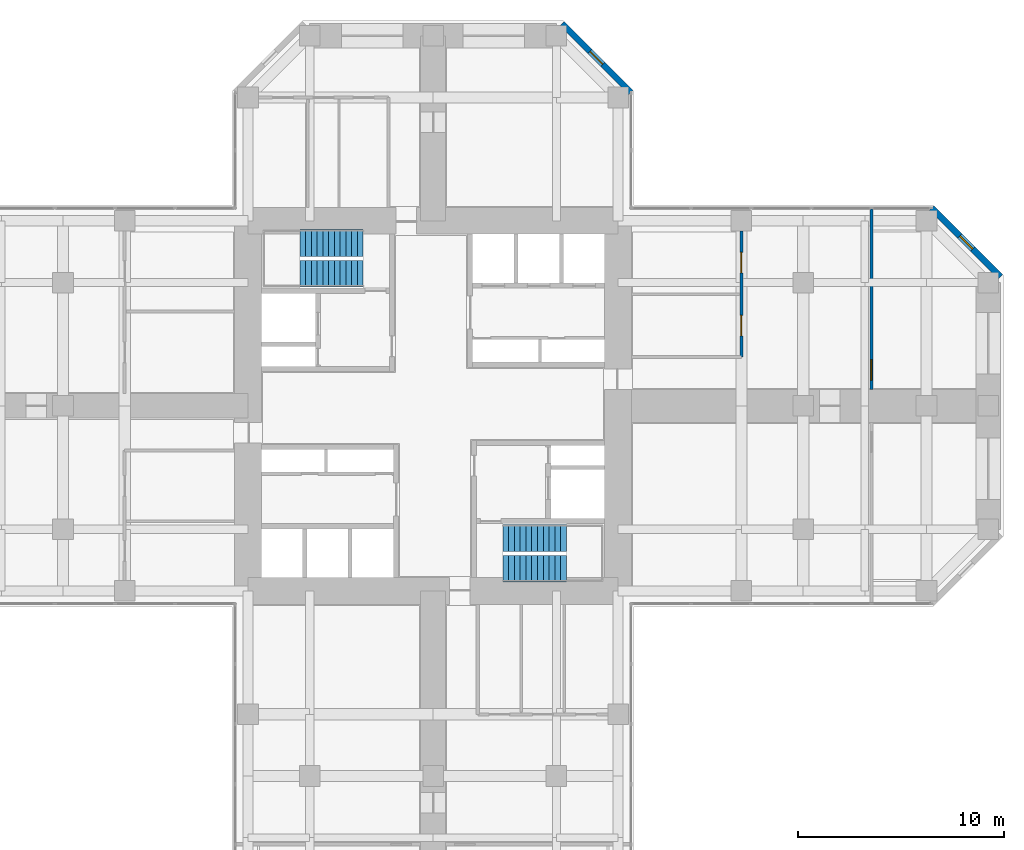
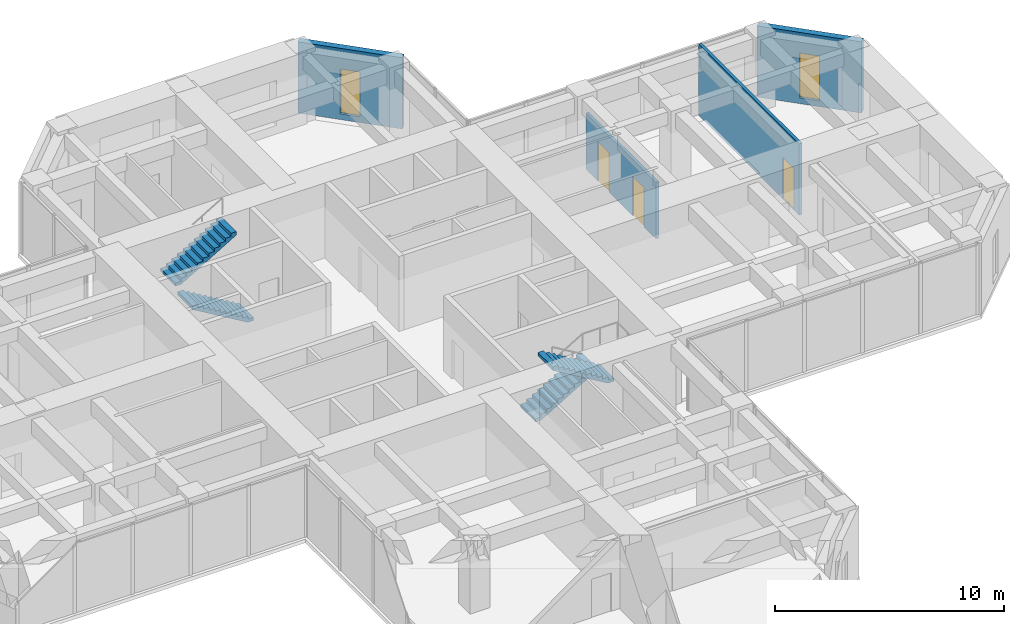
# One storey, part 11 of 12: 4 stair flights, 4 walls, 3 doors, 2 windows, 5 openings, 2 elements without a shape of their own.
"""IFC4 building model written with IfcOpenShell, lengths in metres."""

from ifc_helpers import new_model, si_unit, direction, frame, frame_2d, origin, place, context, subcontext, project, spatial, polyline, rectangle, hollow_rectangle, outline, extrude, material, layer, layer_set, constituent, constituent_set, type_object, element, fill, aggregate, save


model = new_model("IFC4")

# Units and contexts
model_context = context("Model", 3, precision=1e-05, world=origin(), true_north=direction((0.0, 1.0)))
body_context = subcontext(model_context, "Body", "Model", "MODEL_VIEW")
ifc_project = project(units=[si_unit("LENGTHUNIT", "METRE"), si_unit("AREAUNIT", "SQUARE_METRE"), si_unit("VOLUMEUNIT", "CUBIC_METRE"), si_unit("PLANEANGLEUNIT", "RADIAN"), si_unit("MASSUNIT", "GRAM", prefix="KILO")], contexts=[model_context])

# Site, building, storey
site_placement = place(None, origin())
site = spatial("IfcSite", under=ifc_project, at=site_placement, CompositionType="ELEMENT")
building_placement = place(site_placement, origin())
building = spatial("IfcBuilding", under=site, at=building_placement, Name="Torre Cruceta", CompositionType="ELEMENT")
storey_placement = place(building_placement, frame((0.0, 0.0, 144.5)))
storey = spatial("IfcBuildingStorey", under=building, at=storey_placement, Name="L35", CompositionType="ELEMENT", Elevation=144.5)

# Wall, opening, window
ifc_material_1 = material(Name="Concrete G30 (fck 30 MPa)", Category="concrete")
ifc_layer_1 = layer(ifc_material_1, 0.300048828125)
ifc_layer_set_1 = layer_set([ifc_layer_1], Name="Concrete G30 (fck 30 MPa)")
wall_type_1 = type_object("IfcWallType", Name="EXPOSED CONCRETE FACADE WALL 300", PredefinedType="SOLIDWALL", material=ifc_layer_set_1)
wall_1_placement = place(storey_placement, frame((27.60009765625, 6.27685546875, 0.0), z_axis=(0.0, 0.0, 1.0), x_axis=(-0.707106781187, 0.707106781187, 0.0)))
wall_1 = element("IfcWall", 1, at=wall_1_placement, inside=storey, type_object=wall_type_1, Name="EW1 facade wall L35 E chamfer 03", PredefinedType="SOLIDWALL", context=body_context, shape_type="SweptSolid", body=[
    extrude(rectangle(XDim=4.72802734375, YDim=0.300048828125, at=frame_2d((2.364013671875, 0.0))), origin(), (0.0, 0.0, 1.0), 3.800048828125),
])
opening_1_placement = place(wall_1_placement, frame((1.9140625, 0.0, 0.300048828125)))
opening_1 = element("IfcOpeningElement", 2, at=opening_1_placement, cuts=wall_1, Name="Opening WN5", PredefinedType="OPENING", context=body_context, shape_type="SweptSolid", body=[
    extrude(rectangle(XDim=0.89990234375, YDim=2.39990234375, at=frame_2d((0.449951171875, 1.199951171875))), frame((0.0, 0.159912109375, 0.0), z_axis=(0.0, -1.0, 0.0), x_axis=(1.0, 0.0, 0.0)), (0.0, 0.0, 1.0), 0.320068359375),
])
ifc_material_2 = material(Name="Aluminium window frame", Category="aluminium")
ifc_constituent_1 = constituent(ifc_material_2, Name="Frame")
ifc_material_3 = material(Name="Laminated insulating glass unit, low-iron clear", Category="glass")
ifc_constituent_2 = constituent(ifc_material_3, Name="Glazing")
ifc_constituent_set_1 = constituent_set(constituents=[ifc_constituent_1, ifc_constituent_2], Name="Aluminium window")
window_type = type_object("IfcWindowType", Name="CHAMFER SLOT WINDOW 900X2400", PartitioningType="SINGLE_PANEL", PredefinedType="WINDOW", material=ifc_constituent_set_1)
window_1_placement = place(opening_1_placement, origin())
window_1 = element("IfcWindow", 3, at=window_1_placement, inside=storey, type_object=window_type, Name="WN5 L35 E 1", OverallHeight=2.39990234375, OverallWidth=0.89990234375, PartitioningType="SINGLE_PANEL", PredefinedType="WINDOW", context=body_context, shape_type="SweptSolid", body=[
    extrude(hollow_rectangle(XDim=0.89990234375, YDim=2.39990234375, WallThickness=0.06005859375, at=frame_2d((0.449951171875, 1.199951171875))), frame((0.0, 0.030029296875, 0.0), z_axis=(0.0, -1.0, 0.0), x_axis=(1.0, 0.0, 0.0)), (0.0, 0.0, 1.0), 0.06005859375),
    extrude(rectangle(XDim=0.77880859375, YDim=2.27880859375, at=frame_2d((0.449951171875, 1.199951171875))), frame((0.0, 0.030029296875, 0.0), z_axis=(0.0, -1.0, 0.0), x_axis=(1.0, 0.0, 0.0)), (0.0, 0.0, 1.0), 0.06005859375),
])
fill(opening_1, window_1)

wall_2_placement = place(storey_placement, frame((9.6201171875, 15.2568359375, 0.0), z_axis=(0.0, 0.0, 1.0), x_axis=(-0.707106781187, 0.707106781187, 0.0)))
wall_2 = element("IfcWall", 4, at=wall_2_placement, inside=storey, type_object=wall_type_1, Name="EW1 facade wall L35 N chamfer 06", PredefinedType="SOLIDWALL", context=body_context, shape_type="SweptSolid", body=[
    extrude(rectangle(XDim=4.72802734375, YDim=0.300048828125, at=frame_2d((2.364013671875, 0.0))), origin(), (0.0, 0.0, 1.0), 3.800048828125),
])
opening_2_placement = place(wall_2_placement, frame((1.9140625, 0.0, 0.300048828125)))
opening_2 = element("IfcOpeningElement", 5, at=opening_2_placement, cuts=wall_2, Name="Opening WN5", PredefinedType="OPENING", context=body_context, shape_type="SweptSolid", body=[
    extrude(rectangle(XDim=0.89990234375, YDim=2.39990234375, at=frame_2d((0.449951171875, 1.199951171875))), frame((0.0, 0.159912109375, 0.0), z_axis=(0.0, -1.0, 0.0), x_axis=(1.0, 0.0, 0.0)), (0.0, 0.0, 1.0), 0.320068359375),
])
window_2_placement = place(opening_2_placement, origin())
window_2 = element("IfcWindow", 6, at=window_2_placement, inside=storey, type_object=window_type, Name="WN5 L35 N 1", OverallHeight=2.39990234375, OverallWidth=0.89990234375, PartitioningType="SINGLE_PANEL", PredefinedType="WINDOW", context=body_context, shape_type="SweptSolid", body=[
    extrude(hollow_rectangle(XDim=0.89990234375, YDim=2.39990234375, WallThickness=0.06005859375, at=frame_2d((0.449951171875, 1.199951171875))), frame((0.0, 0.030029296875, 0.0), z_axis=(0.0, -1.0, 0.0), x_axis=(1.0, 0.0, 0.0)), (0.0, 0.0, 1.0), 0.06005859375),
    extrude(rectangle(XDim=0.77880859375, YDim=2.27880859375, at=frame_2d((0.449951171875, 1.199951171875))), frame((0.0, 0.030029296875, 0.0), z_axis=(0.0, -1.0, 0.0), x_axis=(1.0, 0.0, 0.0)), (0.0, 0.0, 1.0), 0.06005859375),
])
fill(opening_2, window_2)

# Wall, openings, doors
ifc_material_4 = material(Name="Plasterboard on steel studs", Category="steel")
ifc_layer_2 = layer(ifc_material_4, 0.14990234375)
ifc_layer_set_2 = layer_set([ifc_layer_2], Name="Plasterboard on steel studs")
wall_type_2 = type_object("IfcWallType", Name="PARTITION 150", PredefinedType="PARTITIONING", material=ifc_layer_set_2)
wall_3_placement = place(storey_placement, frame((15.0, 2.375, 0.0), z_axis=(0.0, 0.0, 1.0), x_axis=(0.0, 1.0, 0.0)))
wall_3 = element("IfcWall", 7, at=wall_3_placement, inside=storey, type_object=wall_type_2, Name="PT1 L35-E-BFL", PredefinedType="PARTITIONING", context=body_context, shape_type="SweptSolid", body=[
    extrude(rectangle(XDim=6.125, YDim=0.14990234375, at=frame_2d((3.0625, 0.0))), origin(), (0.0, 0.0, 1.0), 3.0),
])
opening_3_placement = place(wall_3_placement, frame((1.03125, 0.0, 0.0)))
opening_3 = element("IfcOpeningElement", 8, at=opening_3_placement, cuts=wall_3, Name="Opening D3", PredefinedType="OPENING", context=body_context, shape_type="SweptSolid", body=[
    extrude(rectangle(XDim=1.0, YDim=2.10009765625, at=frame_2d((0.5, 1.050048828125))), frame((0.0, 0.0849609375, 0.0), z_axis=(0.0, -1.0, 0.0), x_axis=(1.0, 0.0, 0.0)), (0.0, 0.0, 1.0), 0.169921875),
])
opening_4_placement = place(wall_3_placement, frame((4.09375, 0.0, 0.0)))
opening_4 = element("IfcOpeningElement", 9, at=opening_4_placement, cuts=wall_3, Name="Opening D3", PredefinedType="OPENING", context=body_context, shape_type="SweptSolid", body=[
    extrude(rectangle(XDim=1.0, YDim=2.10009765625, at=frame_2d((0.5, 1.050048828125))), frame((0.0, 0.0849609375, 0.0), z_axis=(0.0, -1.0, 0.0), x_axis=(1.0, 0.0, 0.0)), (0.0, 0.0, 1.0), 0.169921875),
])
ifc_material_5 = material(Name="Steel DX51D", Category="steel")
ifc_constituent_3 = constituent(ifc_material_5, Name="Leaf and frame")
ifc_material_6 = material(Name="Polyester powder coating", Category="paint")
ifc_constituent_4 = constituent(ifc_material_6, Name="Finish")
ifc_constituent_set_2 = constituent_set(constituents=[ifc_constituent_3, ifc_constituent_4], Name="Steel fire door")
door_type_1 = type_object("IfcDoorType", Name="FIRE DOOR 1000X2100", OperationType="SINGLE_SWING_LEFT", PredefinedType="DOOR", material=ifc_constituent_set_2)
door_1_placement = place(opening_3_placement, origin())
door_1 = element("IfcDoor", 10, at=door_1_placement, inside=storey, type_object=door_type_1, Name="D3 L35-E-BFL-D1", OperationType="SINGLE_SWING_LEFT", OverallHeight=2.10009765625, OverallWidth=1.0, PredefinedType="DOOR", context=body_context, shape_type="SweptSolid", body=[
    extrude(rectangle(XDim=1.0, YDim=2.10009765625, at=frame_2d((0.5, 1.050048828125))), frame((0.0, 0.02490234375, 0.0), z_axis=(0.0, -1.0, 0.0), x_axis=(1.0, 0.0, 0.0)), (0.0, 0.0, 1.0), 0.050048828125),
])
fill(opening_3, door_1)
door_2_placement = place(opening_4_placement, origin())
door_2 = element("IfcDoor", 11, at=door_2_placement, inside=storey, type_object=door_type_1, Name="D3 L35-E-BFL-D2", OperationType="SINGLE_SWING_LEFT", OverallHeight=2.10009765625, OverallWidth=1.0, PredefinedType="DOOR", context=body_context, shape_type="SweptSolid", body=[
    extrude(rectangle(XDim=1.0, YDim=2.10009765625, at=frame_2d((0.5, 1.050048828125))), frame((0.0, 0.02490234375, 0.0), z_axis=(0.0, -1.0, 0.0), x_axis=(1.0, 0.0, 0.0)), (0.0, 0.0, 1.0), 0.050048828125),
])
fill(opening_4, door_2)

# Wall, opening, door
wall_4_placement = place(storey_placement, frame((21.320068359375, 0.800048828125, 0.0), z_axis=(0.0, 0.0, 1.0), x_axis=(0.0, 1.0, 0.0)))
wall_4 = element("IfcWall", 12, at=wall_4_placement, inside=storey, type_object=wall_type_2, Name="PT1 L35-E-TWL", PredefinedType="PARTITIONING", context=body_context, shape_type="SweptSolid", body=[
    extrude(rectangle(XDim=8.780029296875, YDim=0.14990234375, at=frame_2d((4.39013671875, 0.0))), origin(), (0.0, 0.0, 1.0), 3.800048828125),
])
opening_5_placement = place(wall_4_placement, frame((0.449951171875, 0.0, 0.0)))
opening_5 = element("IfcOpeningElement", 13, at=opening_5_placement, cuts=wall_4, Name="Opening D14", PredefinedType="OPENING", context=body_context, shape_type="SweptSolid", body=[
    extrude(rectangle(XDim=1.0, YDim=2.199951171875, at=frame_2d((0.5, 1.10009765625))), frame((0.0, 0.0849609375, 0.0), z_axis=(0.0, -1.0, 0.0), x_axis=(1.0, 0.0, 0.0)), (0.0, 0.0, 1.0), 0.169921875),
])
ifc_material_7 = material(Name="Steel DX51D", Category="steel")
ifc_constituent_5 = constituent(ifc_material_7, Name="Leaf and frame")
ifc_material_8 = material(Name="Polyester powder coating", Category="paint")
ifc_constituent_6 = constituent(ifc_material_8, Name="Finish")
ifc_material_9 = material(Name="Fire-resisting glass", Category="glass")
ifc_constituent_7 = constituent(ifc_material_9, Name="Vision panel")
ifc_constituent_set_3 = constituent_set(constituents=[ifc_constituent_5, ifc_constituent_6, ifc_constituent_7], Name="Steel fire door with vision panel")
door_type_2 = type_object("IfcDoorType", Name="FIRE DOOR VISION PANEL 1000X2200", OperationType="SINGLE_SWING_RIGHT", PredefinedType="DOOR", material=ifc_constituent_set_3)
door_3_placement = place(opening_5_placement, frame((1.0, 0.0, 0.0), z_axis=(0.0, 0.0, 1.0), x_axis=(-1.0, 0.0, 0.0)))
door_3 = element("IfcDoor", 14, at=door_3_placement, inside=storey, type_object=door_type_2, Name="D14 L35-E-TWL-D1", OperationType="SINGLE_SWING_RIGHT", OverallHeight=2.199951171875, OverallWidth=1.0, PredefinedType="DOOR", context=body_context, shape_type="SweptSolid", body=[
    extrude(rectangle(XDim=1.0, YDim=2.199951171875, at=frame_2d((0.5, 1.10009765625))), frame((0.0, 0.025146484375, 0.0), z_axis=(0.0, -1.0, 0.0), x_axis=(1.0, 0.0, 0.0)), (0.0, 0.0, 1.0), 0.050048828125),
])
fill(opening_5, door_3)

# Stair, stair flights
ifc_material_10 = material(Name="Concrete G30 (fck 30 MPa)", Category="concrete")
stair_type = type_object("IfcStairType", Name="STAIR HALF-TURN 1300", PredefinedType="HALF_TURN_STAIR", material=ifc_material_10)
stair_1_placement = place(storey_placement, origin())
stair_1 = element("IfcStair", 15, at=stair_1_placement, inside=storey, type_object=stair_type, Name="Stair ST1 L35", PredefinedType="HALF_TURN_STAIR")
ifc_material_11 = material(Name="Concrete G30 (fck 30 MPa)", Category="concrete")
stair_flight_type = type_object("IfcStairFlightType", Name="STAIR FLIGHT 1300", PredefinedType="STRAIGHT", material=ifc_material_11)
stair_flight_1_placement = place(storey_placement, frame((-3.39990234375, 6.425048828125, 0.0), z_axis=(0.0, 0.0, 1.0), x_axis=(-1.0, 0.0, 0.0)))
stair_flight_1 = element("IfcStairFlight", 16, at=stair_flight_1_placement, type_object=stair_flight_type, Name="ST1 flight 1", NumberOfRisers=12, NumberOfTreads=11, PredefinedType="STRAIGHT", RiserHeight=0.166666667, TreadLength=0.28, context=body_context, shape_type="SweptSolid", body=[
    extrude(outline(polyline([(0.0, 0.0), (0.0, 0.166748046875), (0.280029296875, 0.166748046875), (0.280029296875, 0.333251953125), (0.56005859375, 0.333251953125), (0.56005859375, 0.5), (0.840087890625, 0.5), (0.840087890625, 0.666748046875), (1.1201171875, 0.666748046875), (1.1201171875, 0.833251953125), (1.39990234375, 0.833251953125), (1.39990234375, 1.0), (1.679931640625, 1.0), (1.679931640625, 1.166748046875), (1.9599609375, 1.166748046875), (1.9599609375, 1.333251953125), (2.239990234375, 1.333251953125), (2.239990234375, 1.5), (2.52001953125, 1.5), (2.52001953125, 1.666748046875), (2.800048828125, 1.666748046875), (2.800048828125, 1.833251953125), (3.080078125, 1.833251953125), (3.080078125, 2.0), (3.080078125, 1.658935546875), (0.29296875, 0.0), (0.0, 0.0)])), frame((0.0, 0.64990234375, 0.0), z_axis=(0.0, -1.0, 0.0), x_axis=(1.0, 0.0, 0.0)), (0.0, 0.0, 1.0), 1.300048828125),
])
stair_flight_2_placement = place(storey_placement, frame((-6.47998046875, 7.925048828125, 2.0), z_axis=(0.0, 0.0, 1.0), x_axis=(1.0, 0.0, 0.0)))
stair_flight_2 = element("IfcStairFlight", 17, at=stair_flight_2_placement, type_object=stair_flight_type, Name="ST1 flight 2", NumberOfRisers=12, NumberOfTreads=11, PredefinedType="STRAIGHT", RiserHeight=0.166666667, TreadLength=0.28, context=body_context, shape_type="SweptSolid", body=[
    extrude(outline(polyline([(0.0, 0.0), (0.0, 0.166748046875), (0.280029296875, 0.166748046875), (0.280029296875, 0.333251953125), (0.56005859375, 0.333251953125), (0.56005859375, 0.5), (0.840087890625, 0.5), (0.840087890625, 0.666748046875), (1.1201171875, 0.666748046875), (1.1201171875, 0.833251953125), (1.39990234375, 0.833251953125), (1.39990234375, 1.0), (1.679931640625, 1.0), (1.679931640625, 1.166748046875), (1.9599609375, 1.166748046875), (1.9599609375, 1.333251953125), (2.239990234375, 1.333251953125), (2.239990234375, 1.5), (2.52001953125, 1.5), (2.52001953125, 1.666748046875), (2.800048828125, 1.666748046875), (2.800048828125, 1.833251953125), (3.080078125, 1.833251953125), (3.080078125, 2.0), (3.080078125, 1.658935546875), (0.29296875, 0.0), (0.0, 0.0)])), frame((0.0, 0.64990234375, 0.0), z_axis=(0.0, -1.0, 0.0), x_axis=(1.0, 0.0, 0.0)), (0.0, 0.0, 1.0), 1.300048828125),
])
aggregate(stair_1, [stair_flight_1, stair_flight_2])

stair_2_placement = place(storey_placement, origin())
stair_2 = element("IfcStair", 18, at=stair_2_placement, inside=storey, type_object=stair_type, Name="Stair ST2 L35", PredefinedType="HALF_TURN_STAIR")
stair_flight_3_placement = place(storey_placement, frame((3.39990234375, -6.425048828125, 0.0), z_axis=(0.0, 0.0, 1.0), x_axis=(1.0, 0.0, 0.0)))
stair_flight_3 = element("IfcStairFlight", 19, at=stair_flight_3_placement, type_object=stair_flight_type, Name="ST2 flight 1", NumberOfRisers=12, NumberOfTreads=11, PredefinedType="STRAIGHT", RiserHeight=0.166666667, TreadLength=0.28, context=body_context, shape_type="SweptSolid", body=[
    extrude(outline(polyline([(0.0, 0.0), (0.0, 0.166748046875), (0.280029296875, 0.166748046875), (0.280029296875, 0.333251953125), (0.56005859375, 0.333251953125), (0.56005859375, 0.5), (0.840087890625, 0.5), (0.840087890625, 0.666748046875), (1.1201171875, 0.666748046875), (1.1201171875, 0.833251953125), (1.39990234375, 0.833251953125), (1.39990234375, 1.0), (1.679931640625, 1.0), (1.679931640625, 1.166748046875), (1.9599609375, 1.166748046875), (1.9599609375, 1.333251953125), (2.239990234375, 1.333251953125), (2.239990234375, 1.5), (2.52001953125, 1.5), (2.52001953125, 1.666748046875), (2.800048828125, 1.666748046875), (2.800048828125, 1.833251953125), (3.080078125, 1.833251953125), (3.080078125, 2.0), (3.080078125, 1.658935546875), (0.29296875, 0.0), (0.0, 0.0)])), frame((0.0, 0.64990234375, 0.0), z_axis=(0.0, -1.0, 0.0), x_axis=(1.0, 0.0, 0.0)), (0.0, 0.0, 1.0), 1.300048828125),
])
stair_flight_4_placement = place(storey_placement, frame((6.47998046875, -7.925048828125, 2.0), z_axis=(0.0, 0.0, 1.0), x_axis=(-1.0, 0.0, 0.0)))
stair_flight_4 = element("IfcStairFlight", 20, at=stair_flight_4_placement, type_object=stair_flight_type, Name="ST2 flight 2", NumberOfRisers=12, NumberOfTreads=11, PredefinedType="STRAIGHT", RiserHeight=0.166666667, TreadLength=0.28, context=body_context, shape_type="SweptSolid", body=[
    extrude(outline(polyline([(0.0, 0.0), (0.0, 0.166748046875), (0.280029296875, 0.166748046875), (0.280029296875, 0.333251953125), (0.56005859375, 0.333251953125), (0.56005859375, 0.5), (0.840087890625, 0.5), (0.840087890625, 0.666748046875), (1.1201171875, 0.666748046875), (1.1201171875, 0.833251953125), (1.39990234375, 0.833251953125), (1.39990234375, 1.0), (1.679931640625, 1.0), (1.679931640625, 1.166748046875), (1.9599609375, 1.166748046875), (1.9599609375, 1.333251953125), (2.239990234375, 1.333251953125), (2.239990234375, 1.5), (2.52001953125, 1.5), (2.52001953125, 1.666748046875), (2.800048828125, 1.666748046875), (2.800048828125, 1.833251953125), (3.080078125, 1.833251953125), (3.080078125, 2.0), (3.080078125, 1.658935546875), (0.29296875, 0.0), (0.0, 0.0)])), frame((0.0, 0.64990234375, 0.0), z_axis=(0.0, -1.0, 0.0), x_axis=(1.0, 0.0, 0.0)), (0.0, 0.0, 1.0), 1.300048828125),
])
aggregate(stair_2, [stair_flight_3, stair_flight_4])

save(model, "model.ifc")
